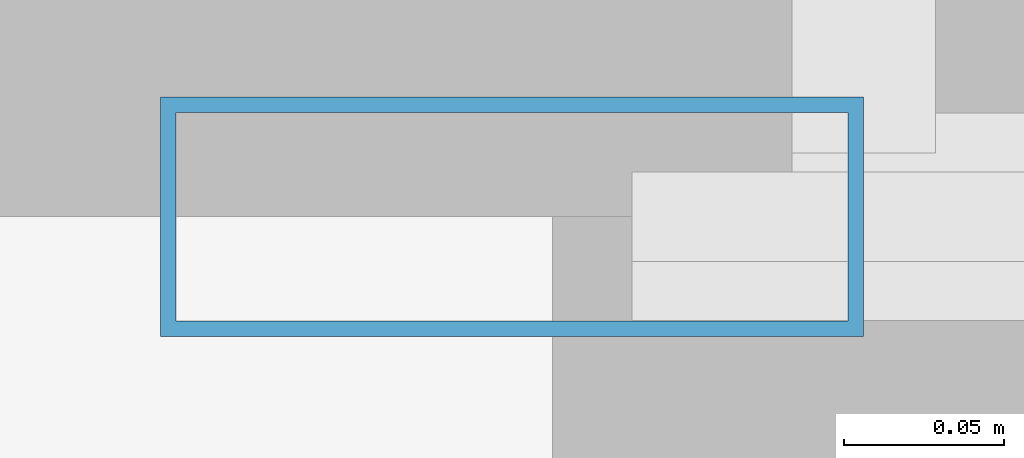
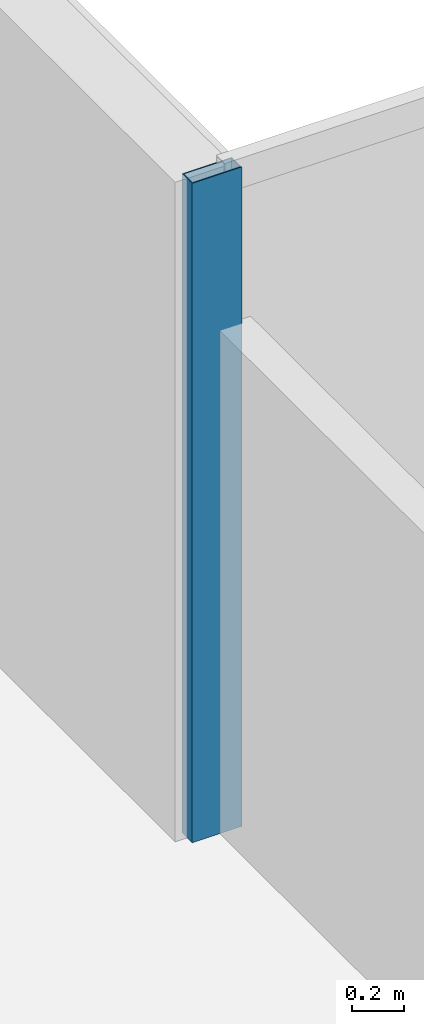
# One storey, part 6 of 23: 1 member, 1 element without a shape of its own.
"""IFC4 building model written with IfcOpenShell, lengths in metres."""

from ifc_helpers import new_model, si_unit, direction, frame, origin, origin_2d, place, context, subcontext, project, spatial, hollow_rectangle, extrude, material, layer, layer_set, material_profile, profile_set, type_object, element, aggregate, save


model = new_model("IFC4")

# Units and contexts
model_context = context("Model", 3, precision=1e-05, world=origin(), true_north=direction((0.0, 1.0)))
body_context = subcontext(model_context, "Body", "Model", "MODEL_VIEW")
ifc_project = project(units=[si_unit("LENGTHUNIT", "METRE"), si_unit("AREAUNIT", "SQUARE_METRE"), si_unit("VOLUMEUNIT", "CUBIC_METRE"), si_unit("PLANEANGLEUNIT", "RADIAN"), si_unit("MASSUNIT", "GRAM", prefix="KILO")], contexts=[model_context])

# Site, building, storey
site_placement = place(None, origin())
site = spatial("IfcSite", under=ifc_project, at=site_placement, CompositionType="ELEMENT")
building_placement = place(site_placement, origin())
building = spatial("IfcBuilding", under=site, at=building_placement, Name="Tanjung Sevakor Pilgrim Tower", CompositionType="ELEMENT")
storey_placement = place(building_placement, frame((0.0, 0.0, 82.169921875)))
storey = spatial("IfcBuildingStorey", under=building, at=storey_placement, Name="L22", CompositionType="ELEMENT", Elevation=82.169921875)

# Curtain wall, member
ifc_material_1 = material(Name="Aluminium 6063-T6 and Low-E Glass", Category="aluminium")
ifc_layer = layer(ifc_material_1, 0.179931640625)
ifc_layer_set = layer_set([ifc_layer], Name="CW-SYS-CLEFT")
curtain_wall_type = type_object("IfcCurtainWallType", Name="CW-SYS-CLEFT", PredefinedType="NOTDEFINED", material=ifc_layer_set)
curtain_wall_placement = place(storey_placement, origin())
curtain_wall = element("IfcCurtainWall", 1, at=curtain_wall_placement, inside=storey, type_object=curtain_wall_type, Name="L22 Curtain Wall CW-CLF-L22-10", PredefinedType="NOTDEFINED")
ifc_material_2 = material(Name="Aluminium 6063-T6", Category="aluminium")
ifc_material_profile = material_profile(ifc_material_2, hollow_rectangle(XDim=0.074951171875, YDim=0.219970703125, WallThickness=0.0048828125, at=origin_2d()))
ifc_profile_set = profile_set([ifc_material_profile], Name="Aluminium 6063-T6")
member_type = type_object("IfcMemberType", Name="TYPE-CWM-2", PredefinedType="MULLION", material=ifc_profile_set)
member_placement = place(storey_placement, frame((43.512451171875, 54.074951171875, 0.0), z_axis=(0.0, 0.0, 1.0), x_axis=(0.0, -1.0, 0.0)))
member = element("IfcMember", 2, at=member_placement, type_object=member_type, Name="CW-CLF mullion 2", PredefinedType="MULLION", context=body_context, shape_type="SweptSolid", body=[
    extrude(hollow_rectangle(XDim=0.074951171875, YDim=0.219970703125, WallThickness=0.0048828125, at=origin_2d()), origin(), (0.0, 0.0, 1.0), 3.080078125),
])
aggregate(curtain_wall, [member])

save(model, "model.ifc")
